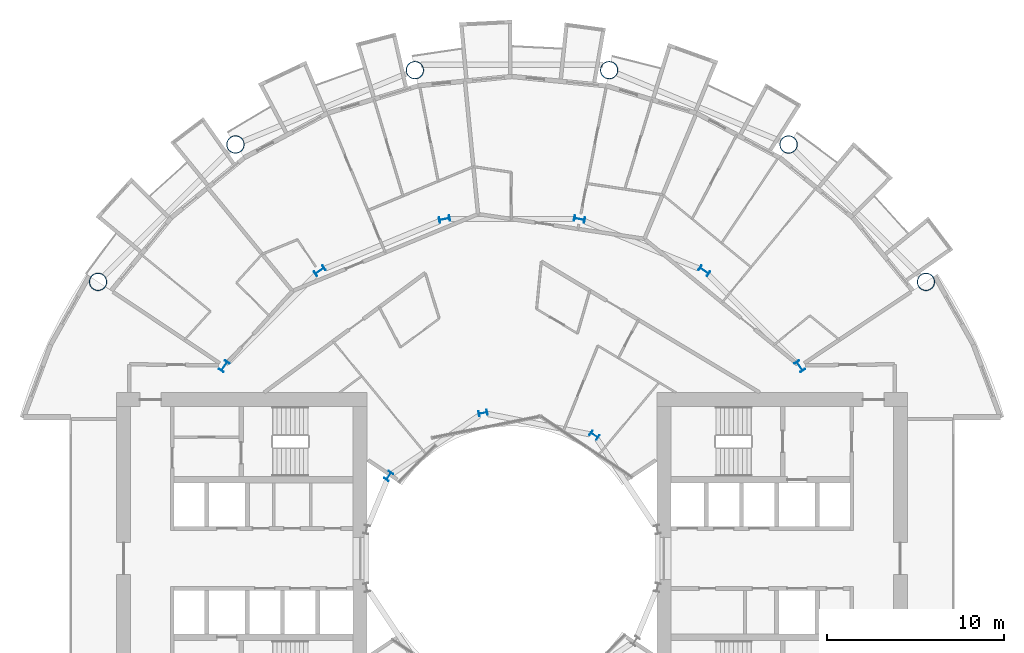
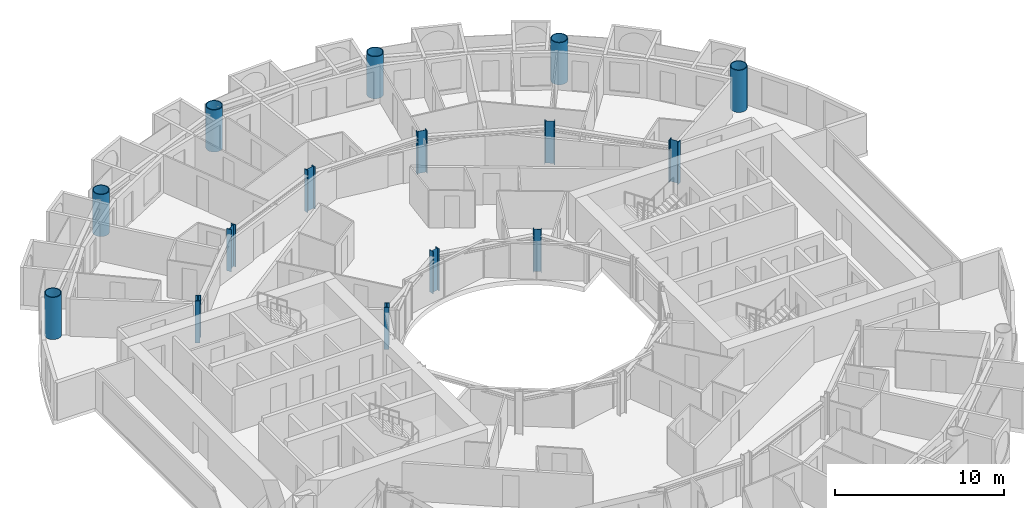
# One storey, part 3 of 26: 15 columns.
"""IFC4 building model written with IfcOpenShell, lengths in metres."""

import ifcopenshell
import ifcopenshell.guid

model = None  # the IFC model being written
_history = None  # IfcOwnerHistory: only IFC2X3 demands one
_inside = {}  # id of a spatial element -> (the spatial element, [elements in it])
_under = {}  # id of a project, library or spatial element -> (it, [spatial elements below it])
_declared = {}  # id of a project -> (the project, [libraries it declares])
_typed = {}  # id of a type object -> (the type object, [elements of that type])
_made_of = {}  # id of a material, layer set ... -> (it, [elements and type objects made of it])


def new_model(schema):
    """Start an empty IFC model of exactly this schema.

    Asked for "IFC4X3", IfcOpenShell would pick the latest addendum, in which some entities
    have other attributes; the version numbers below select the first issue.
    IFC2X3 requires an IfcOwnerHistory on every rooted entity: one is made here for all.
    """
    global model, _history
    if schema == "IFC4X3":
        model = ifcopenshell.file(schema_version=(4, 3, 0, 0))
    else:
        model = ifcopenshell.file(schema=schema)
    _inside.clear()
    _under.clear()
    _declared.clear()
    _typed.clear()
    _made_of.clear()
    _history = None
    if model.schema == "IFC2X3":
        org = make("IfcOrganization", Name="unknown")
        user = make(
            "IfcPersonAndOrganization",
            ThePerson=make("IfcPerson", FamilyName="unknown"),
            TheOrganization=org,
        )
        app = make(
            "IfcApplication",
            ApplicationDeveloper=org,
            Version="unknown",
            ApplicationFullName="unknown",
            ApplicationIdentifier="unknown",
        )
        _history = make(
            "IfcOwnerHistory",
            OwningUser=user,
            OwningApplication=app,
            ChangeAction="ADDED",
            CreationDate=0,
        )
    return model


def make(cls, **values):
    """One entity of the class cls with the attributes given. An attribute that is None is left unset."""
    return model.create_entity(
        cls, **{name: value for name, value in values.items() if value is not None}
    )


def rooted(cls, **values):
    """An entity with a GlobalId (a new one), such as an element, a storey or a relation."""
    return make(cls, GlobalId=ifcopenshell.guid.new(), OwnerHistory=_history, **values)


def si_unit(unit_type, name, prefix=None):
    """IfcSIUnit, for example si_unit("LENGTHUNIT", "METRE", prefix="MILLI")."""
    return make("IfcSIUnit", UnitType=unit_type, Prefix=prefix, Name=name)


def assignment(units):
    """IfcUnitAssignment: the units of a project."""
    return None if units is None else make("IfcUnitAssignment", Units=units)


def point(xyz):
    """IfcCartesianPoint."""
    return None if xyz is None else make("IfcCartesianPoint", Coordinates=xyz)


def direction(xyz):
    """IfcDirection."""
    return None if xyz is None else make("IfcDirection", DirectionRatios=xyz)


def frame(location, z_axis=None, x_axis=None):
    """IfcAxis2Placement3D, a coordinate frame: its origin and axes. An axis left out is left unset."""
    return make(
        "IfcAxis2Placement3D",
        Location=point(location),
        Axis=direction(z_axis),
        RefDirection=direction(x_axis),
    )


def frame_2d(location, x_axis=None):
    """IfcAxis2Placement2D, a coordinate frame in the plane: its origin and x axis."""
    return make(
        "IfcAxis2Placement2D", Location=point(location), RefDirection=direction(x_axis)
    )


def origin():
    """The frame at (0, 0, 0) with its axes left unset."""
    return frame((0.0, 0.0, 0.0))


def origin_2d():
    """The frame at (0, 0) in the plane with its x axis left unset."""
    return frame_2d((0.0, 0.0))


def place(relative_to, where):
    """IfcLocalPlacement: puts the frame where relative to a parent placement (None: the world)."""
    return make(
        "IfcLocalPlacement", PlacementRelTo=relative_to, RelativePlacement=where
    )


def context(
    kind, dimensions, precision=None, world=None, true_north=None, identifier=None
):
    """IfcGeometricRepresentationContext, for example the 3D "Model" context."""
    return make(
        "IfcGeometricRepresentationContext",
        ContextIdentifier=identifier,
        ContextType=kind,
        CoordinateSpaceDimension=dimensions,
        Precision=precision,
        WorldCoordinateSystem=world,
        TrueNorth=true_north,
    )


def subcontext(parent, identifier, kind, view, scale=None):
    """IfcGeometricRepresentationSubContext, for example "Body" below "Model"."""
    return make(
        "IfcGeometricRepresentationSubContext",
        ContextIdentifier=identifier,
        ContextType=kind,
        ParentContext=parent,
        TargetScale=scale,
        TargetView=view,
    )


def project(units=None, contexts=None):
    """IfcProject with its units and contexts."""
    return rooted(
        "IfcProject",
        Name="project",
        RepresentationContexts=contexts,
        UnitsInContext=assignment(units),
    )


def spatial(cls, under=None, at=None, **own):
    """A site, building, storey or space (cls), placed at a placement, below another one or the project."""
    s = rooted(cls, ObjectPlacement=at, **own)
    if under is not None:
        _under.setdefault(under.id(), (under, []))[1].append(s)
    return s


def profile(cls, at=None, kind="AREA", **sizes):
    """A parametric profile (cls). Its sizes go by their IFC names, for example OverallWidth=200.0."""
    return make(cls, ProfileType=kind, Position=at, **sizes)


def hollow_circle(**sizes):
    """IfcCircleHollowProfileDef."""
    return profile("IfcCircleHollowProfileDef", **sizes)


def i_section(**sizes):
    """IfcIShapeProfileDef."""
    return profile("IfcIShapeProfileDef", **sizes)


def extrude(swept, where, along, depth):
    """IfcExtrudedAreaSolid: the profile swept, set in the frame where, extruded along a direction by depth."""
    return make(
        "IfcExtrudedAreaSolid",
        SweptArea=swept,
        Position=where,
        ExtrudedDirection=direction(along),
        Depth=depth,
    )


def shape(context_of_items, identifier, shape_type, items):
    """IfcShapeRepresentation: the items that make up one representation, for example the "Body"."""
    return make(
        "IfcShapeRepresentation",
        ContextOfItems=context_of_items,
        RepresentationIdentifier=identifier,
        RepresentationType=shape_type,
        Items=items,
    )


def material(Name=None, Category=None):
    """IfcMaterial."""
    return make("IfcMaterial", Name=Name, Category=Category)


def material_profile(
    of_material, cross_section, Name=None, Category=None, Priority=None
):
    """IfcMaterialProfile: a cross section and its material."""
    return make(
        "IfcMaterialProfile",
        Name=Name,
        Material=of_material,
        Profile=cross_section,
        Priority=Priority,
        Category=Category,
    )


def profile_set(profiles, Name=None, composite=None):
    """IfcMaterialProfileSet."""
    return make(
        "IfcMaterialProfileSet",
        Name=Name,
        MaterialProfiles=profiles,
        CompositeProfile=composite,
    )


def made_of(thing, what):
    """Note that an element or type object is made of a material, layer set ...; save() writes the relation."""
    if what is not None:
        _made_of.setdefault(what.id(), (what, []))[1].append(thing)
    return thing


def type_object(cls, material=None, **own):
    """A type object (cls), such as IfcWallType, which elements share."""
    return made_of(rooted(cls, **own), material)


def element(
    cls,
    number,
    at=None,
    inside=None,
    cuts=None,
    type_object=None,
    material=None,
    context=None,
    identifier="Body",
    shape_type=None,
    held_by="IfcProductDefinitionShape",
    body=None,
    shapes=None,
    **own,
):
    """One element of the class cls, such as IfcWall. Its Tag is "e" and its number.

    at: its placement. inside: the storey or other place that contains it. cuts: it is an
    opening in that element (IfcRelVoidsElement). A single representation is given by context,
    identifier, shape_type and body (its items); several are given by shapes. held_by: the class
    of the entity that holds the representations. save() writes the other relations.
    """
    e = rooted(cls, Tag="e%d" % number, ObjectPlacement=at, **own)
    if body is not None:
        shapes = [shape(context, identifier, shape_type, body)]
    if shapes is not None:
        e.Representation = make(held_by, Representations=shapes)
    if inside is not None:
        _inside.setdefault(inside.id(), (inside, []))[1].append(e)
    if cuts is not None:
        rooted(
            "IfcRelVoidsElement", RelatingBuildingElement=cuts, RelatedOpeningElement=e
        )
    if type_object is not None:
        _typed.setdefault(type_object.id(), (type_object, []))[1].append(e)
    return made_of(e, material)


def aggregate(whole, parts):
    """IfcRelAggregates: a whole, such as a stair, and the parts it consists of."""
    return rooted("IfcRelAggregates", RelatingObject=whole, RelatedObjects=parts)


def save(model, path):
    """Write the relations noted so far, then the file.

    IfcRelAggregates (storeys below a building ...), IfcRelContainedInSpatialStructure (elements
    in a storey), IfcRelDefinesByType, IfcRelAssociatesMaterial and IfcRelDeclares: one each for
    every whole, place, type object, material and project.
    """
    for whole, parts in _under.values():
        aggregate(whole, parts)
    for where, things in _inside.values():
        rooted(
            "IfcRelContainedInSpatialStructure",
            RelatedElements=things,
            RelatingStructure=where,
        )
    for kind, things in _typed.values():
        rooted("IfcRelDefinesByType", RelatedObjects=things, RelatingType=kind)
    for what, things in _made_of.values():
        rooted("IfcRelAssociatesMaterial", RelatedObjects=things, RelatingMaterial=what)
    for by, libraries in _declared.values():
        rooted("IfcRelDeclares", RelatingContext=by, RelatedDefinitions=libraries)
    model.write(path)


model = new_model("IFC4")

# Units and contexts
model_context = context("Model", 3, precision=1e-05, world=origin(), true_north=direction((0.0, 1.0)))
body_context = subcontext(model_context, "Body", "Model", "MODEL_VIEW")
ifc_project = project(units=[si_unit("LENGTHUNIT", "METRE"), si_unit("AREAUNIT", "SQUARE_METRE"), si_unit("VOLUMEUNIT", "CUBIC_METRE"), si_unit("PLANEANGLEUNIT", "RADIAN"), si_unit("MASSUNIT", "GRAM", prefix="KILO")], contexts=[model_context])

# Site, building, storey
site_placement = place(None, origin())
site = spatial("IfcSite", under=ifc_project, at=site_placement, CompositionType="ELEMENT")
building_placement = place(site_placement, origin())
building = spatial("IfcBuilding", under=site, at=building_placement, Name="Maasbend Ring Residences", CompositionType="ELEMENT")
storey_placement = place(building_placement, frame((0.0, 0.0, 47.199951171875)))
storey = spatial("IfcBuildingStorey", under=building, at=storey_placement, Name="L13", CompositionType="ELEMENT", Elevation=47.199951171875)

# Columns
ifc_material_1 = material(Name="Composite concrete-filled steel tube S460NH / C80/95", Category="concrete")
ifc_material_profile_1 = material_profile(ifc_material_1, hollow_circle(Radius=0.508056640625, WallThickness=0.050048828125, at=origin_2d()), Name="Composite tube column CHS 1016x50")
ifc_profile_set_1 = profile_set([ifc_material_profile_1], Name="Composite concrete-filled steel tube S460NH / C80/95")
column_type_1 = type_object("IfcColumnType", Name="Composite tube column CHS 1016x50", PredefinedType="COLUMN", material=ifc_profile_set_1)
for number, where, z_axis, x_axis, name in (
    (1, (23.447509765625, 15.6669921875, 0.0), (0.0, 0.0, 1.0), (1.0, 0.0, 0.0), "Outer column R2"),
    (2, (15.6669921875, 23.447509765625, 0.0), (0.0, 0.0, 1.0), (1.0, 0.0, 0.0), "Outer column R3"),
    (3, (5.50146484375, 27.658203125, 0.0), (0.0, 0.0, 1.0), (1.0, 0.0, 0.0), "Outer column R4"),
    (4, (-5.50146484375, 27.658203125, 0.0), (0.0, 0.0, 1.0), (1.0, 0.0, 0.0), "Outer column R5"),
    (5, (-15.6669921875, 23.447509765625, 0.0), (0.0, 0.0, 1.0), (1.0, 0.0, 0.0), "Outer column R6"),
    (6, (-23.447509765625, 15.6669921875, 0.0), (0.0, 0.0, 1.0), (1.0, 0.0, 0.0), "Outer column R7"),
):
    element("IfcColumn", number, at=place(storey_placement, frame(where, z_axis=z_axis, x_axis=x_axis)), inside=storey, type_object=column_type_1, Name=name, PredefinedType="COLUMN", context=body_context, shape_type="SweptSolid", body=[
        extrude(hollow_circle(Radius=0.508056640625, WallThickness=0.050048828125, at=origin_2d()), origin(), (0.0, 0.0, 1.0), 3.050048828125),
    ])
ifc_material_2 = material(Name="Steel S355J2", Category="steel")
ifc_material_profile_2 = material_profile(ifc_material_2, i_section(OverallWidth=0.300048828125, OverallDepth=0.5, WebThickness=0.014404296875, FlangeThickness=0.028076171875, FilletRadius=0.027099609375, at=origin_2d()), Name="HEB 500")
ifc_profile_set_2 = profile_set([ifc_material_profile_2], Name="Steel S355J2")
column_type_2 = type_object("IfcColumnType", Name="Steel column HEB 500", PredefinedType="COLUMN", material=ifc_profile_set_2)
for number, where, z_axis, x_axis, name in (
    (7, (4.666748046875, 6.984375, 0.0), (0.0, 0.0, 1.0), (0.55557023302, 0.831469612303, 0.0), "Well ring column R3"),
    (8, (-1.638916015625, 8.238525390625, 0.0), (0.0, 0.0, 1.0), (-0.195090322016, 0.980785280403, 0.0), "Well ring column R5"),
    (9, (-6.984375, 4.666748046875, 0.0), (0.0, 0.0, 1.0), (-0.831469612303, 0.55557023302, 0.0), "Well ring column R7"),
):
    element("IfcColumn", number, at=place(storey_placement, frame(where, z_axis=z_axis, x_axis=x_axis)), inside=storey, type_object=column_type_2, Name=name, PredefinedType="COLUMN", context=body_context, shape_type="SweptSolid", body=[
        extrude(i_section(OverallWidth=0.300048828125, OverallDepth=0.5, WebThickness=0.014404296875, FlangeThickness=0.028076171875, FilletRadius=0.027099609375, at=origin_2d()), origin(), (0.0, 0.0, 1.0), 3.050048828125),
    ])
ifc_material_3 = material(Name="Steel S460M", Category="steel")
ifc_material_profile_3 = material_profile(ifc_material_3, i_section(OverallWidth=0.304931640625, OverallDepth=0.6201171875, WebThickness=0.02099609375, FlangeThickness=0.0400390625, FilletRadius=0.027099609375, at=origin_2d()), Name="HEM 600")
ifc_profile_set_3 = profile_set([ifc_material_profile_3], Name="Steel S460M")
column_type_3 = type_object("IfcColumnType", Name="Steel column HEM 600", PredefinedType="COLUMN", material=ifc_profile_set_3)
for number, where, z_axis, x_axis, name in (
    (10, (16.296875, 10.88916015625, 0.0), (0.0, 0.0, 1.0), (0.831469612303, 0.55557023302, 0.0), "Corridor ring column R2"),
    (11, (10.88916015625, 16.296875, 0.0), (0.0, 0.0, 1.0), (0.55557023302, 0.831469612303, 0.0), "Corridor ring column R3"),
    (12, (3.82373046875, 19.223388671875, 0.0), (0.0, 0.0, 1.0), (0.195090322016, 0.980785280403, 0.0), "Corridor ring column R4"),
    (13, (-3.82373046875, 19.223388671875, 0.0), (0.0, 0.0, 1.0), (-0.195090322016, 0.980785280403, 0.0), "Corridor ring column R5"),
    (14, (-10.88916015625, 16.296875, 0.0), (0.0, 0.0, 1.0), (-0.55557023302, 0.831469612303, 0.0), "Corridor ring column R6"),
    (15, (-16.296875, 10.88916015625, 0.0), (0.0, 0.0, 1.0), (-0.831469612303, 0.55557023302, 0.0), "Corridor ring column R7"),
):
    element("IfcColumn", number, at=place(storey_placement, frame(where, z_axis=z_axis, x_axis=x_axis)), inside=storey, type_object=column_type_3, Name=name, PredefinedType="COLUMN", context=body_context, shape_type="SweptSolid", body=[
        extrude(i_section(OverallWidth=0.304931640625, OverallDepth=0.6201171875, WebThickness=0.02099609375, FlangeThickness=0.0400390625, FilletRadius=0.027099609375, at=origin_2d()), origin(), (0.0, 0.0, 1.0), 3.050048828125),
    ])

save(model, "model.ifc")
